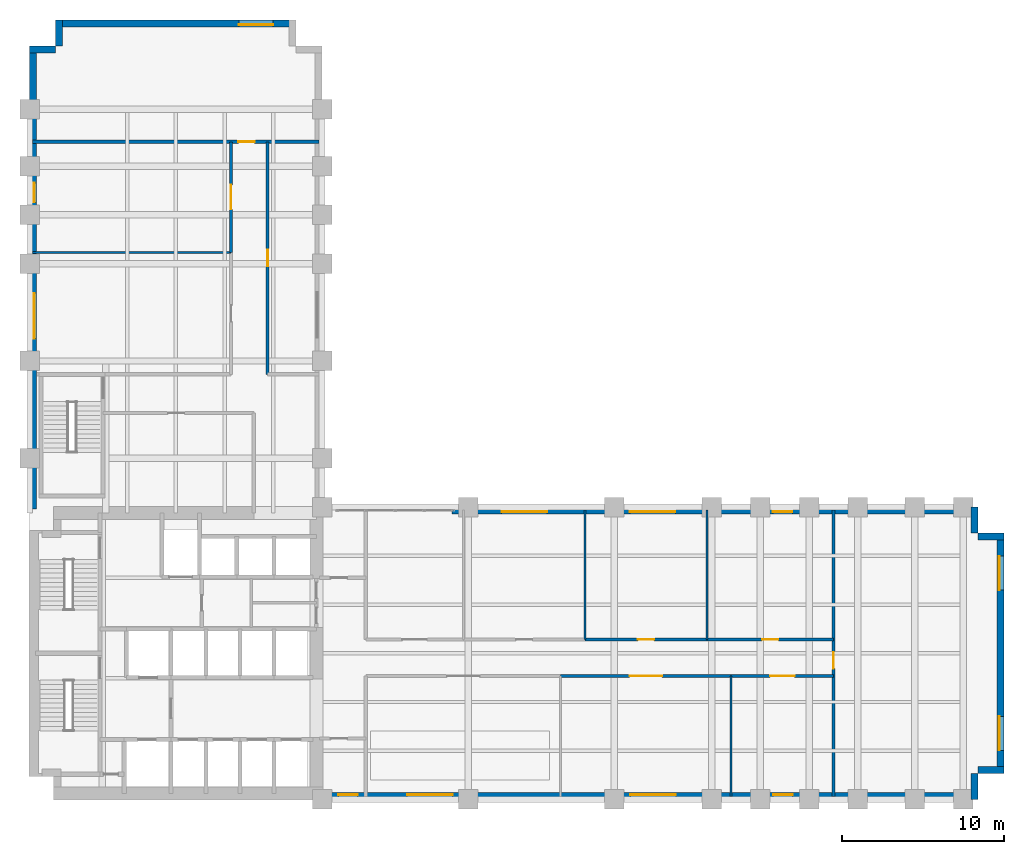
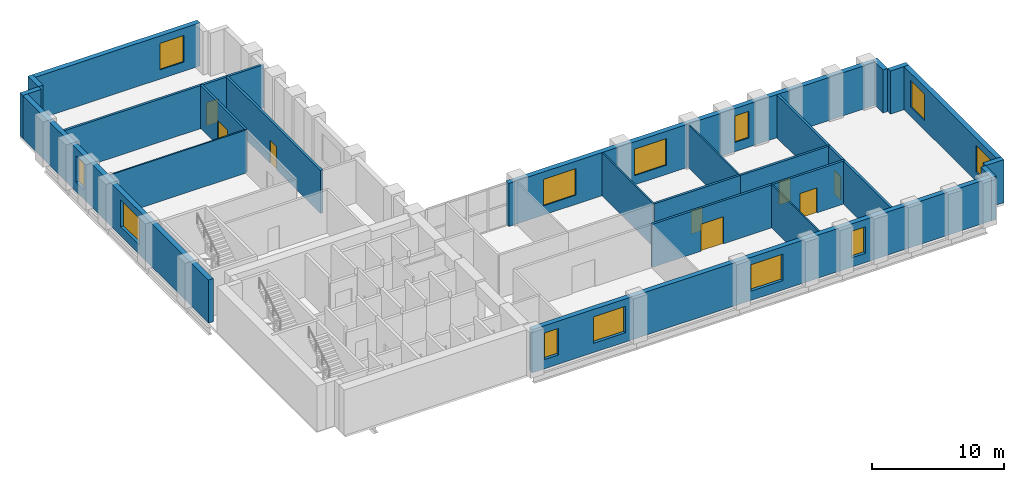
# One storey, part 7 of 9: 23 walls, 12 windows, 8 doors, 20 openings.
"""IFC4 building model written with IfcOpenShell, lengths in metres."""

from ifc_helpers import new_model, si_unit, direction, frame, frame_2d, origin, place, context, subcontext, project, spatial, rectangle, extrude, material, layer, layer_set, type_object, element, fill, save


model = new_model("IFC4")

# Units and contexts
model_context = context("Model", 3, precision=1e-05, world=origin(), true_north=direction((0.0, 1.0)))
body_context = subcontext(model_context, "Body", "Model", "MODEL_VIEW")
ifc_project = project(units=[si_unit("LENGTHUNIT", "METRE"), si_unit("AREAUNIT", "SQUARE_METRE"), si_unit("VOLUMEUNIT", "CUBIC_METRE"), si_unit("PLANEANGLEUNIT", "RADIAN"), si_unit("MASSUNIT", "GRAM", prefix="KILO")], contexts=[model_context])

# Site, building, storey
site_placement = place(None, origin())
site = spatial("IfcSite", under=ifc_project, at=site_placement, CompositionType="ELEMENT")
building_placement = place(site_placement, origin())
building = spatial("IfcBuilding", under=site, at=building_placement, Name="Mawjdan Bourse Tower", CompositionType="ELEMENT")
storey_placement = place(building_placement, frame((0.0, 0.0, 51.0)))
storey = spatial("IfcBuildingStorey", under=building, at=storey_placement, Name="L11", CompositionType="ELEMENT", Elevation=51.0)

# Wall, openings, windows
ifc_material_1 = material(Name="Brick Masonry Buff", Category="masonry")
ifc_layer_1 = layer(ifc_material_1, 0.419921875)
ifc_layer_set_1 = layer_set([ifc_layer_1], Name="Brick Masonry Buff")
wall_type_1 = type_object("IfcWallType", Name="WL-BRK-BUFF-420", PredefinedType="STANDARD", material=ifc_layer_set_1)
wall_1_placement = place(storey_placement, frame((23.89990234375, 3.2099609375, 0.0), z_axis=(0.0, 0.0, 1.0), x_axis=(1.0, 0.0, 0.0)))
wall_1 = element("IfcWall", 1, at=wall_1_placement, inside=storey, type_object=wall_type_1, Name="L11 Exterior Brick Wall 1", PredefinedType="STANDARD", context=body_context, shape_type="SweptSolid", body=[
    extrude(rectangle(XDim=40.5, YDim=0.419921875, at=frame_2d((20.25, 0.0))), origin(), (0.0, 0.0, 1.0), 3.97998046875),
])
opening_1_placement = place(wall_1_placement, frame((1.10009765625, 0.0, 0.85009765625)))
opening_1 = element("IfcOpeningElement", 2, at=opening_1_placement, cuts=wall_1, Name="Opening W-L11-06", PredefinedType="OPENING", context=body_context, shape_type="SweptSolid", body=[
    extrude(rectangle(XDim=1.199951171875, YDim=2.449951171875, at=frame_2d((0.60009765625, 1.22509765625))), frame((0.0, 0.219970703125, 0.0), z_axis=(0.0, -1.0, 0.0), x_axis=(1.0, 0.0, 0.0)), (0.0, 0.0, 1.0), 0.43994140625),
])
opening_2_placement = place(wall_1_placement, frame((5.336181640625, 0.0, 0.85009765625)))
opening_2 = element("IfcOpeningElement", 3, at=opening_2_placement, cuts=wall_1, Name="Opening W-L11-07", PredefinedType="OPENING", context=body_context, shape_type="SweptSolid", body=[
    extrude(rectangle(XDim=2.800048828125, YDim=2.449951171875, at=frame_2d((1.39990234375, 1.22509765625))), frame((0.0, 0.219970703125, 0.0), z_axis=(0.0, -1.0, 0.0), x_axis=(1.0, 0.0, 0.0)), (0.0, 0.0, 1.0), 0.43994140625),
])
opening_3_placement = place(wall_1_placement, frame((19.086181640625, 0.0, 0.85009765625)))
opening_3 = element("IfcOpeningElement", 4, at=opening_3_placement, cuts=wall_1, Name="Opening W-L11-08", PredefinedType="OPENING", context=body_context, shape_type="SweptSolid", body=[
    extrude(rectangle(XDim=2.800048828125, YDim=2.449951171875, at=frame_2d((1.39990234375, 1.22509765625))), frame((0.0, 0.219970703125, 0.0), z_axis=(0.0, -1.0, 0.0), x_axis=(1.0, 0.0, 0.0)), (0.0, 0.0, 1.0), 0.43994140625),
])
opening_4_placement = place(wall_1_placement, frame((27.88623046875, 0.0, 0.85009765625)))
opening_4 = element("IfcOpeningElement", 5, at=opening_4_placement, cuts=wall_1, Name="Opening W-L11-09", PredefinedType="OPENING", context=body_context, shape_type="SweptSolid", body=[
    extrude(rectangle(XDim=1.199951171875, YDim=2.449951171875, at=frame_2d((0.60009765625, 1.22509765625))), frame((0.0, 0.219970703125, 0.0), z_axis=(0.0, -1.0, 0.0), x_axis=(1.0, 0.0, 0.0)), (0.0, 0.0, 1.0), 0.43994140625),
])
ifc_material_2 = material(Name="Solar-Control Clear Double Glazing", Category="glass")
window_type_1 = type_object("IfcWindowType", Name="WN-TRD-1200", PartitioningType="SINGLE_PANEL", PredefinedType="WINDOW", material=ifc_material_2)
window_1_placement = place(opening_1_placement, origin())
window_1 = element("IfcWindow", 6, at=window_1_placement, inside=storey, type_object=window_type_1, Name="L11 Deep-Set Masonry Window W-L11-06", OverallHeight=2.449951171875, OverallWidth=1.199951171875, PartitioningType="SINGLE_PANEL", PredefinedType="WINDOW", context=body_context, shape_type="SweptSolid", body=[
    extrude(rectangle(XDim=1.199951171875, YDim=2.449951171875, at=frame_2d((0.60009765625, 1.22509765625))), frame((0.0, 0.110107421875, 0.0), z_axis=(0.0, -1.0, 0.0), x_axis=(1.0, 0.0, 0.0)), (0.0, 0.0, 1.0), 0.06005859375),
])
fill(opening_1, window_1)
window_2_placement = place(opening_4_placement, origin())
window_2 = element("IfcWindow", 7, at=window_2_placement, inside=storey, type_object=window_type_1, Name="L11 Deep-Set Masonry Window W-L11-09", OverallHeight=2.449951171875, OverallWidth=1.199951171875, PartitioningType="SINGLE_PANEL", PredefinedType="WINDOW", context=body_context, shape_type="SweptSolid", body=[
    extrude(rectangle(XDim=1.199951171875, YDim=2.449951171875, at=frame_2d((0.60009765625, 1.22509765625))), frame((0.0, 0.110107421875, 0.0), z_axis=(0.0, -1.0, 0.0), x_axis=(1.0, 0.0, 0.0)), (0.0, 0.0, 1.0), 0.06005859375),
])
fill(opening_4, window_2)
window_type_2 = type_object("IfcWindowType", Name="WN-TRD-2800", PartitioningType="SINGLE_PANEL", PredefinedType="WINDOW", material=ifc_material_2)
window_3_placement = place(opening_2_placement, origin())
window_3 = element("IfcWindow", 8, at=window_3_placement, inside=storey, type_object=window_type_2, Name="L11 Deep-Set Masonry Window W-L11-07", OverallHeight=2.449951171875, OverallWidth=2.800048828125, PartitioningType="SINGLE_PANEL", PredefinedType="WINDOW", context=body_context, shape_type="SweptSolid", body=[
    extrude(rectangle(XDim=2.800048828125, YDim=2.449951171875, at=frame_2d((1.39990234375, 1.22509765625))), frame((0.0, 0.110107421875, 0.0), z_axis=(0.0, -1.0, 0.0), x_axis=(1.0, 0.0, 0.0)), (0.0, 0.0, 1.0), 0.06005859375),
])
fill(opening_2, window_3)
window_4_placement = place(opening_3_placement, origin())
window_4 = element("IfcWindow", 9, at=window_4_placement, inside=storey, type_object=window_type_2, Name="L11 Deep-Set Masonry Window W-L11-08", OverallHeight=2.449951171875, OverallWidth=2.800048828125, PartitioningType="SINGLE_PANEL", PredefinedType="WINDOW", context=body_context, shape_type="SweptSolid", body=[
    extrude(rectangle(XDim=2.800048828125, YDim=2.449951171875, at=frame_2d((1.39990234375, 1.22509765625))), frame((0.0, 0.110107421875, 0.0), z_axis=(0.0, -1.0, 0.0), x_axis=(1.0, 0.0, 0.0)), (0.0, 0.0, 1.0), 0.06005859375),
])
fill(opening_3, window_4)

# Walls
for number, where, z_axis, x_axis, name in (
    (10, (64.18994140625, 3.0, 0.0), (0.0, 0.0, 1.0), (0.0, 1.0, 0.0), "L11 Exterior Brick Wall 2"),
    (11, (64.39990234375, 4.81005859375, 0.0), (0.0, 0.0, 1.0), (1.0, 0.0, 0.0), "L11 Exterior Brick Wall 3"),
):
    element("IfcWall", number, at=place(storey_placement, frame(where, z_axis=z_axis, x_axis=x_axis)), inside=storey, type_object=wall_type_1, Name=name, PredefinedType="STANDARD", context=body_context, shape_type="SweptSolid", body=[
        extrude(rectangle(XDim=1.60009765625, YDim=0.419921875, at=frame_2d((0.800048828125, 0.0))), origin(), (0.0, 0.0, 1.0), 3.97998046875),
    ])

# Wall, openings, windows
wall_2_placement = place(storey_placement, frame((65.7900390625, 4.60009765625, 0.0), z_axis=(0.0, 0.0, 1.0), x_axis=(0.0, 1.0, 0.0)))
wall_2 = element("IfcWall", 12, at=wall_2_placement, inside=storey, type_object=wall_type_1, Name="L11 Exterior Brick Wall 4", PredefinedType="STANDARD", context=body_context, shape_type="SweptSolid", body=[
    extrude(rectangle(XDim=14.7998046875, YDim=0.419921875, at=frame_2d((7.39990234375, 0.0))), origin(), (0.0, 0.0, 1.0), 3.97998046875),
])
opening_5_placement = place(wall_2_placement, frame((1.416748046875, 0.0, 0.85009765625)))
opening_5 = element("IfcOpeningElement", 13, at=opening_5_placement, cuts=wall_2, Name="Opening W-L11-01", PredefinedType="OPENING", context=body_context, shape_type="SweptSolid", body=[
    extrude(rectangle(XDim=2.10009765625, YDim=2.449951171875, at=frame_2d((1.050048828125, 1.22509765625))), frame((0.0, 0.219970703125, 0.0), z_axis=(0.0, -1.0, 0.0), x_axis=(1.0, 0.0, 0.0)), (0.0, 0.0, 1.0), 0.43994140625),
])
opening_6_placement = place(wall_2_placement, frame((11.283203125, 0.0, 0.85009765625)))
opening_6 = element("IfcOpeningElement", 14, at=opening_6_placement, cuts=wall_2, Name="Opening W-L11-02", PredefinedType="OPENING", context=body_context, shape_type="SweptSolid", body=[
    extrude(rectangle(XDim=2.10009765625, YDim=2.449951171875, at=frame_2d((1.050048828125, 1.22509765625))), frame((0.0, 0.219970703125, 0.0), z_axis=(0.0, -1.0, 0.0), x_axis=(1.0, 0.0, 0.0)), (0.0, 0.0, 1.0), 0.43994140625),
])
window_type_3 = type_object("IfcWindowType", Name="WN-TRD-2100", PartitioningType="SINGLE_PANEL", PredefinedType="WINDOW", material=ifc_material_2)
window_5_placement = place(opening_5_placement, origin())
window_5 = element("IfcWindow", 15, at=window_5_placement, inside=storey, type_object=window_type_3, Name="L11 Deep-Set Masonry Window W-L11-01", OverallHeight=2.449951171875, OverallWidth=2.10009765625, PartitioningType="SINGLE_PANEL", PredefinedType="WINDOW", context=body_context, shape_type="SweptSolid", body=[
    extrude(rectangle(XDim=2.10009765625, YDim=2.449951171875, at=frame_2d((1.050048828125, 1.22509765625))), frame((0.0, 0.110107421875, 0.0), z_axis=(0.0, -1.0, 0.0), x_axis=(1.0, 0.0, 0.0)), (0.0, 0.0, 1.0), 0.06005859375),
])
fill(opening_5, window_5)
window_6_placement = place(opening_6_placement, origin())
window_6 = element("IfcWindow", 16, at=window_6_placement, inside=storey, type_object=window_type_3, Name="L11 Deep-Set Masonry Window W-L11-02", OverallHeight=2.449951171875, OverallWidth=2.10009765625, PartitioningType="SINGLE_PANEL", PredefinedType="WINDOW", context=body_context, shape_type="SweptSolid", body=[
    extrude(rectangle(XDim=2.10009765625, YDim=2.449951171875, at=frame_2d((1.050048828125, 1.22509765625))), frame((0.0, 0.110107421875, 0.0), z_axis=(0.0, -1.0, 0.0), x_axis=(1.0, 0.0, 0.0)), (0.0, 0.0, 1.0), 0.06005859375),
])
fill(opening_6, window_6)

# Walls
for number, where, z_axis, x_axis, name in (
    (17, (66.0, 19.18994140625, 0.0), (0.0, 0.0, 1.0), (-1.0, 0.0, 0.0), "L11 Exterior Brick Wall 5"),
    (18, (64.18994140625, 19.39990234375, 0.0), (0.0, 0.0, 1.0), (0.0, 1.0, 0.0), "L11 Exterior Brick Wall 6"),
):
    element("IfcWall", number, at=place(storey_placement, frame(where, z_axis=z_axis, x_axis=x_axis)), inside=storey, type_object=wall_type_1, Name=name, PredefinedType="STANDARD", context=body_context, shape_type="SweptSolid", body=[
        extrude(rectangle(XDim=1.60009765625, YDim=0.419921875, at=frame_2d((0.800048828125, 0.0))), origin(), (0.0, 0.0, 1.0), 3.97998046875),
    ])

# Wall, openings, windows
wall_3_placement = place(storey_placement, frame((64.39990234375, 20.7900390625, 0.0), z_axis=(0.0, 0.0, 1.0), x_axis=(-1.0, 0.0, 0.0)))
wall_3 = element("IfcWall", 19, at=wall_3_placement, inside=storey, type_object=wall_type_1, Name="L11 Exterior Brick Wall 7A", PredefinedType="STANDARD", context=body_context, shape_type="SweptSolid", body=[
    extrude(rectangle(XDim=32.3798828125, YDim=0.419921875, at=frame_2d((16.18994140625, 0.0))), origin(), (0.0, 0.0, 1.0), 3.97998046875),
])
opening_7_placement = place(wall_3_placement, frame((26.5361328125, 0.0, 0.85009765625)))
opening_7 = element("IfcOpeningElement", 20, at=opening_7_placement, cuts=wall_3, Name="Opening W-L11-10", PredefinedType="OPENING", context=body_context, shape_type="SweptSolid", body=[
    extrude(rectangle(XDim=2.800048828125, YDim=2.449951171875, at=frame_2d((1.39990234375, 1.22509765625))), frame((0.0, 0.219970703125, 0.0), z_axis=(0.0, -1.0, 0.0), x_axis=(1.0, 0.0, 0.0)), (0.0, 0.0, 1.0), 0.43994140625),
])
opening_8_placement = place(wall_3_placement, frame((18.63623046875, 0.0, 0.85009765625)))
opening_8 = element("IfcOpeningElement", 21, at=opening_8_placement, cuts=wall_3, Name="Opening W-L11-11", PredefinedType="OPENING", context=body_context, shape_type="SweptSolid", body=[
    extrude(rectangle(XDim=2.800048828125, YDim=2.449951171875, at=frame_2d((1.39990234375, 1.22509765625))), frame((0.0, 0.219970703125, 0.0), z_axis=(0.0, -1.0, 0.0), x_axis=(1.0, 0.0, 0.0)), (0.0, 0.0, 1.0), 0.43994140625),
])
opening_9_placement = place(wall_3_placement, frame((11.436279296875, 0.0, 0.85009765625)))
opening_9 = element("IfcOpeningElement", 22, at=opening_9_placement, cuts=wall_3, Name="Opening W-L11-12", PredefinedType="OPENING", context=body_context, shape_type="SweptSolid", body=[
    extrude(rectangle(XDim=1.199951171875, YDim=2.449951171875, at=frame_2d((0.60009765625, 1.22509765625))), frame((0.0, 0.219970703125, 0.0), z_axis=(0.0, -1.0, 0.0), x_axis=(1.0, 0.0, 0.0)), (0.0, 0.0, 1.0), 0.43994140625),
])
window_7_placement = place(opening_9_placement, origin())
window_7 = element("IfcWindow", 23, at=window_7_placement, inside=storey, type_object=window_type_1, Name="L11 Deep-Set Masonry Window W-L11-12", OverallHeight=2.449951171875, OverallWidth=1.199951171875, PartitioningType="SINGLE_PANEL", PredefinedType="WINDOW", context=body_context, shape_type="SweptSolid", body=[
    extrude(rectangle(XDim=1.199951171875, YDim=2.449951171875, at=frame_2d((0.60009765625, 1.22509765625))), frame((0.0, 0.110107421875, 0.0), z_axis=(0.0, -1.0, 0.0), x_axis=(1.0, 0.0, 0.0)), (0.0, 0.0, 1.0), 0.06005859375),
])
fill(opening_9, window_7)
window_8_placement = place(opening_7_placement, origin())
window_8 = element("IfcWindow", 24, at=window_8_placement, inside=storey, type_object=window_type_2, Name="L11 Deep-Set Masonry Window W-L11-10", OverallHeight=2.449951171875, OverallWidth=2.800048828125, PartitioningType="SINGLE_PANEL", PredefinedType="WINDOW", context=body_context, shape_type="SweptSolid", body=[
    extrude(rectangle(XDim=2.800048828125, YDim=2.449951171875, at=frame_2d((1.39990234375, 1.22509765625))), frame((0.0, 0.110107421875, 0.0), z_axis=(0.0, -1.0, 0.0), x_axis=(1.0, 0.0, 0.0)), (0.0, 0.0, 1.0), 0.06005859375),
])
fill(opening_7, window_8)
window_9_placement = place(opening_8_placement, origin())
window_9 = element("IfcWindow", 25, at=window_9_placement, inside=storey, type_object=window_type_2, Name="L11 Deep-Set Masonry Window W-L11-11", OverallHeight=2.449951171875, OverallWidth=2.800048828125, PartitioningType="SINGLE_PANEL", PredefinedType="WINDOW", context=body_context, shape_type="SweptSolid", body=[
    extrude(rectangle(XDim=2.800048828125, YDim=2.449951171875, at=frame_2d((1.39990234375, 1.22509765625))), frame((0.0, 0.110107421875, 0.0), z_axis=(0.0, -1.0, 0.0), x_axis=(1.0, 0.0, 0.0)), (0.0, 0.0, 1.0), 0.06005859375),
])
fill(opening_8, window_9)

# Wall, opening, window
wall_4_placement = place(storey_placement, frame((22.39990234375, 50.7900390625, 0.0), z_axis=(0.0, 0.0, 1.0), x_axis=(-1.0, 0.0, 0.0)))
wall_4 = element("IfcWall", 26, at=wall_4_placement, inside=storey, type_object=wall_type_1, Name="L11 Exterior Brick Wall 11", PredefinedType="STANDARD", context=body_context, shape_type="SweptSolid", body=[
    extrude(rectangle(XDim=14.7998046875, YDim=0.419921875, at=frame_2d((7.39990234375, 0.0))), origin(), (0.0, 0.0, 1.0), 3.97998046875),
])
opening_10_placement = place(wall_4_placement, frame((1.416748046875, 0.0, 0.85009765625)))
opening_10 = element("IfcOpeningElement", 27, at=opening_10_placement, cuts=wall_4, Name="Opening W-L11-04", PredefinedType="OPENING", context=body_context, shape_type="SweptSolid", body=[
    extrude(rectangle(XDim=2.10009765625, YDim=2.449951171875, at=frame_2d((1.050048828125, 1.22509765625))), frame((0.0, 0.219970703125, 0.0), z_axis=(0.0, -1.0, 0.0), x_axis=(1.0, 0.0, 0.0)), (0.0, 0.0, 1.0), 0.43994140625),
])
window_10_placement = place(opening_10_placement, origin())
window_10 = element("IfcWindow", 28, at=window_10_placement, inside=storey, type_object=window_type_3, Name="L11 Deep-Set Masonry Window W-L11-04", OverallHeight=2.449951171875, OverallWidth=2.10009765625, PartitioningType="SINGLE_PANEL", PredefinedType="WINDOW", context=body_context, shape_type="SweptSolid", body=[
    extrude(rectangle(XDim=2.10009765625, YDim=2.449951171875, at=frame_2d((1.050048828125, 1.22509765625))), frame((0.0, 0.110107421875, 0.0), z_axis=(0.0, -1.0, 0.0), x_axis=(1.0, 0.0, 0.0)), (0.0, 0.0, 1.0), 0.06005859375),
])
fill(opening_10, window_10)

# Walls
for number, where, z_axis, x_axis, name in (
    (29, (7.81005859375, 51.0, 0.0), (0.0, 0.0, 1.0), (0.0, -1.0, 0.0), "L11 Exterior Brick Wall 12"),
    (30, (7.60009765625, 49.18994140625, 0.0), (0.0, 0.0, 1.0), (-1.0, 0.0, 0.0), "L11 Exterior Brick Wall 13"),
):
    element("IfcWall", number, at=place(storey_placement, frame(where, z_axis=z_axis, x_axis=x_axis)), inside=storey, type_object=wall_type_1, Name=name, PredefinedType="STANDARD", context=body_context, shape_type="SweptSolid", body=[
        extrude(rectangle(XDim=1.60009765625, YDim=0.419921875, at=frame_2d((0.800048828125, 0.0))), origin(), (0.0, 0.0, 1.0), 3.97998046875),
    ])

# Wall, openings, windows
wall_5_placement = place(storey_placement, frame((6.2099609375, 49.39990234375, 0.0), z_axis=(0.0, 0.0, 1.0), x_axis=(0.0, -1.0, 0.0)))
wall_5 = element("IfcWall", 31, at=wall_5_placement, inside=storey, type_object=wall_type_1, Name="L11 Exterior Brick Wall 14", PredefinedType="STANDARD", context=body_context, shape_type="SweptSolid", body=[
    extrude(rectangle(XDim=28.5, YDim=0.419921875, at=frame_2d((14.25, 0.0))), origin(), (0.0, 0.0, 1.0), 3.97998046875),
])
opening_11_placement = place(wall_5_placement, frame((15.22509765625, 0.0, 0.85009765625)))
opening_11 = element("IfcOpeningElement", 32, at=opening_11_placement, cuts=wall_5, Name="Opening W-L11-05", PredefinedType="OPENING", context=body_context, shape_type="SweptSolid", body=[
    extrude(rectangle(XDim=2.800048828125, YDim=2.449951171875, at=frame_2d((1.39990234375, 1.22509765625))), frame((0.0, 0.219970703125, 0.0), z_axis=(0.0, -1.0, 0.0), x_axis=(1.0, 0.0, 0.0)), (0.0, 0.0, 1.0), 0.43994140625),
])
opening_12_placement = place(wall_5_placement, frame((8.436279296875, 0.0, 0.85009765625)))
opening_12 = element("IfcOpeningElement", 33, at=opening_12_placement, cuts=wall_5, Name="Opening W-L11-13", PredefinedType="OPENING", context=body_context, shape_type="SweptSolid", body=[
    extrude(rectangle(XDim=1.199951171875, YDim=2.449951171875, at=frame_2d((0.60009765625, 1.22509765625))), frame((0.0, 0.219970703125, 0.0), z_axis=(0.0, -1.0, 0.0), x_axis=(1.0, 0.0, 0.0)), (0.0, 0.0, 1.0), 0.43994140625),
])
window_11_placement = place(opening_12_placement, origin())
window_11 = element("IfcWindow", 34, at=window_11_placement, inside=storey, type_object=window_type_1, Name="L11 Deep-Set Masonry Window W-L11-13", OverallHeight=2.449951171875, OverallWidth=1.199951171875, PartitioningType="SINGLE_PANEL", PredefinedType="WINDOW", context=body_context, shape_type="SweptSolid", body=[
    extrude(rectangle(XDim=1.199951171875, YDim=2.449951171875, at=frame_2d((0.60009765625, 1.22509765625))), frame((0.0, 0.110107421875, 0.0), z_axis=(0.0, -1.0, 0.0), x_axis=(1.0, 0.0, 0.0)), (0.0, 0.0, 1.0), 0.06005859375),
])
fill(opening_12, window_11)
window_12_placement = place(opening_11_placement, origin())
window_12 = element("IfcWindow", 35, at=window_12_placement, inside=storey, type_object=window_type_2, Name="L11 Deep-Set Masonry Window W-L11-05", OverallHeight=2.449951171875, OverallWidth=2.800048828125, PartitioningType="SINGLE_PANEL", PredefinedType="WINDOW", context=body_context, shape_type="SweptSolid", body=[
    extrude(rectangle(XDim=2.800048828125, YDim=2.449951171875, at=frame_2d((1.39990234375, 1.22509765625))), frame((0.0, 0.110107421875, 0.0), z_axis=(0.0, -1.0, 0.0), x_axis=(1.0, 0.0, 0.0)), (0.0, 0.0, 1.0), 0.06005859375),
])
fill(opening_11, window_12)

# Wall, opening, door
ifc_material_3 = material(Name="Gypsum Fireboard Assembly")
ifc_layer_2 = layer(ifc_material_3, 0.199951171875)
ifc_layer_set_2 = layer_set([ifc_layer_2], Name="Gypsum Fireboard Assembly")
wall_type_2 = type_object("IfcWallType", Name="WL-CMP-200", PredefinedType="PARTITIONING", material=ifc_layer_set_2)
wall_6_placement = place(storey_placement, frame((38.699951171875, 10.60009765625, 0.0), z_axis=(0.0, 0.0, 1.0), x_axis=(1.0, 0.0, 0.0)))
wall_6 = element("IfcWall", 36, at=wall_6_placement, inside=storey, type_object=wall_type_2, Name="L11 Commodities Dealing Hall Corridor Wall", PredefinedType="PARTITIONING", context=body_context, shape_type="SweptSolid", body=[
    extrude(rectangle(XDim=10.5, YDim=0.199951171875, at=frame_2d((5.25, 0.0))), origin(), (0.0, 0.0, 1.0), 3.969970703125),
])
opening_13_placement = place(wall_6_placement, frame((4.25, 0.0, 0.0)))
opening_13 = element("IfcOpeningElement", 37, at=opening_13_placement, cuts=wall_6, Name="Opening D-L11-21", PredefinedType="OPENING", context=body_context, shape_type="SweptSolid", body=[
    extrude(rectangle(XDim=2.0, YDim=2.5, at=frame_2d((1.0, 1.25))), frame((0.0, 0.10986328125, 0.0), z_axis=(0.0, -1.0, 0.0), x_axis=(1.0, 0.0, 0.0)), (0.0, 0.0, 1.0), 0.219970703125),
])
ifc_material_4 = material(Name="Acoustic Veneered Timber", Category="wood")
door_type_1 = type_object("IfcDoorType", Name="DR-ASM-2000", OperationType="DOUBLE_DOOR_SINGLE_SWING", PredefinedType="DOOR", material=ifc_material_4)
door_1_placement = place(opening_13_placement, origin())
door_1 = element("IfcDoor", 38, at=door_1_placement, inside=storey, type_object=door_type_1, Name="L11 Commodities Dealing Hall Door D-L11-21", OperationType="DOUBLE_DOOR_SINGLE_SWING", OverallHeight=2.5, OverallWidth=2.0, PredefinedType="DOOR", context=body_context, shape_type="SweptSolid", body=[
    extrude(rectangle(XDim=2.0, YDim=2.5, at=frame_2d((1.0, 1.25))), frame((0.0, 0.02490234375, 0.0), z_axis=(0.0, -1.0, 0.0), x_axis=(1.0, 0.0, 0.0)), (0.0, 0.0, 1.0), 0.050048828125),
])
fill(opening_13, door_1)

wall_7_placement = place(storey_placement, frame((49.199951171875, 10.60009765625, 0.0), z_axis=(0.0, 0.0, 1.0), x_axis=(1.0, 0.0, 0.0)))
wall_7 = element("IfcWall", 39, at=wall_7_placement, inside=storey, type_object=wall_type_2, Name="L11 Conference Room Corridor Wall", PredefinedType="PARTITIONING", context=body_context, shape_type="SweptSolid", body=[
    extrude(rectangle(XDim=6.300048828125, YDim=0.199951171875, at=frame_2d((3.14990234375, 0.0))), origin(), (0.0, 0.0, 1.0), 3.969970703125),
])
opening_14_placement = place(wall_7_placement, frame((2.39990234375, 0.0, 0.0)))
opening_14 = element("IfcOpeningElement", 40, at=opening_14_placement, cuts=wall_7, Name="Opening D-L11-22", PredefinedType="OPENING", context=body_context, shape_type="SweptSolid", body=[
    extrude(rectangle(XDim=1.5, YDim=2.300048828125, at=frame_2d((0.75, 1.14990234375))), frame((0.0, 0.10986328125, 0.0), z_axis=(0.0, -1.0, 0.0), x_axis=(1.0, 0.0, 0.0)), (0.0, 0.0, 1.0), 0.219970703125),
])
ifc_material_5 = material(Name="Acoustic Glazed Timber", Category="wood")
door_type_2 = type_object("IfcDoorType", Name="DR-CNF-1500", OperationType="DOUBLE_DOOR_SINGLE_SWING", PredefinedType="DOOR", material=ifc_material_5)
door_2_placement = place(opening_14_placement, origin())
door_2 = element("IfcDoor", 41, at=door_2_placement, inside=storey, type_object=door_type_2, Name="L11 Conference Room Door D-L11-22", OperationType="DOUBLE_DOOR_SINGLE_SWING", OverallHeight=2.300048828125, OverallWidth=1.5, PredefinedType="DOOR", context=body_context, shape_type="SweptSolid", body=[
    extrude(rectangle(XDim=1.5, YDim=2.300048828125, at=frame_2d((0.75, 1.14990234375))), frame((0.0, 0.02490234375, 0.0), z_axis=(0.0, -1.0, 0.0), x_axis=(1.0, 0.0, 0.0)), (0.0, 0.0, 1.0), 0.050048828125),
])
fill(opening_14, door_2)

wall_8_placement = place(storey_placement, frame((40.199951171875, 12.85009765625, 0.0), z_axis=(0.0, 0.0, 1.0), x_axis=(1.0, 0.0, 0.0)))
wall_8 = element("IfcWall", 42, at=wall_8_placement, inside=storey, type_object=wall_type_2, Name="L11 Executive Office Corridor Wall", PredefinedType="PARTITIONING", context=body_context, shape_type="SweptSolid", body=[
    extrude(rectangle(XDim=7.5, YDim=0.199951171875, at=frame_2d((3.75, 0.0))), origin(), (0.0, 0.0, 1.0), 3.969970703125),
])
opening_15_placement = place(wall_8_placement, frame((3.25, 0.0, 0.0)))
opening_15 = element("IfcOpeningElement", 43, at=opening_15_placement, cuts=wall_8, Name="Opening D-L11-25", PredefinedType="OPENING", context=body_context, shape_type="SweptSolid", body=[
    extrude(rectangle(XDim=1.0, YDim=2.14990234375, at=frame_2d((0.5, 1.074951171875))), frame((0.0, 0.10986328125, 0.0), z_axis=(0.0, -1.0, 0.0), x_axis=(1.0, 0.0, 0.0)), (0.0, 0.0, 1.0), 0.219970703125),
])
ifc_material_6 = material(Name="Hardwood Acoustic Leaf", Category="wood")
door_type_3 = type_object("IfcDoorType", Name="DR-OFC-1000", OperationType="NOTDEFINED", PredefinedType="DOOR", material=ifc_material_6)
door_3_placement = place(opening_15_placement, origin())
door_3 = element("IfcDoor", 44, at=door_3_placement, inside=storey, type_object=door_type_3, Name="L11 Executive Office Door D-L11-25", OperationType="SINGLE_SWING_LEFT", OverallHeight=2.14990234375, OverallWidth=1.0, PredefinedType="DOOR", context=body_context, shape_type="SweptSolid", body=[
    extrude(rectangle(XDim=1.0, YDim=2.14990234375, at=frame_2d((0.5, 1.074951171875))), frame((0.0, 0.02490234375, 0.0), z_axis=(0.0, -1.0, 0.0), x_axis=(1.0, 0.0, 0.0)), (0.0, 0.0, 1.0), 0.050048828125),
])
fill(opening_15, door_3)

wall_9_placement = place(storey_placement, frame((47.699951171875, 12.85009765625, 0.0), z_axis=(0.0, 0.0, 1.0), x_axis=(1.0, 0.0, 0.0)))
wall_9 = element("IfcWall", 45, at=wall_9_placement, inside=storey, type_object=wall_type_2, Name="L11 Document Archive Store Corridor Wall", PredefinedType="PARTITIONING", context=body_context, shape_type="SweptSolid", body=[
    extrude(rectangle(XDim=7.800048828125, YDim=0.199951171875, at=frame_2d((3.89990234375, 0.0))), origin(), (0.0, 0.0, 1.0), 3.969970703125),
])
opening_16_placement = place(wall_9_placement, frame((3.39990234375, 0.0, 0.0)))
opening_16 = element("IfcOpeningElement", 46, at=opening_16_placement, cuts=wall_9, Name="Opening D-L11-26", PredefinedType="OPENING", context=body_context, shape_type="SweptSolid", body=[
    extrude(rectangle(XDim=1.0, YDim=2.14990234375, at=frame_2d((0.5, 1.074951171875))), frame((0.0, 0.10986328125, 0.0), z_axis=(0.0, -1.0, 0.0), x_axis=(1.0, 0.0, 0.0)), (0.0, 0.0, 1.0), 0.219970703125),
])
door_4_placement = place(opening_16_placement, origin())
door_4 = element("IfcDoor", 47, at=door_4_placement, inside=storey, type_object=door_type_3, Name="L11 Document Archive Store Door D-L11-26", OperationType="SINGLE_SWING_RIGHT", OverallHeight=2.14990234375, OverallWidth=1.0, PredefinedType="DOOR", context=body_context, shape_type="SweptSolid", body=[
    extrude(rectangle(XDim=1.0, YDim=2.14990234375, at=frame_2d((0.5, 1.074951171875))), frame((0.0, 0.02490234375, 0.0), z_axis=(0.0, -1.0, 0.0), x_axis=(1.0, 0.0, 0.0)), (0.0, 0.0, 1.0), 0.050048828125),
])
fill(opening_16, door_4)

wall_10_placement = place(storey_placement, frame((55.5, 3.179931640625, 0.0), z_axis=(0.0, 0.0, 1.0), x_axis=(0.0, 1.0, 0.0)))
wall_10 = element("IfcWall", 48, at=wall_10_placement, inside=storey, type_object=wall_type_2, Name="L11 East Tip Full Cross Wall", PredefinedType="PARTITIONING", context=body_context, shape_type="SweptSolid", body=[
    extrude(rectangle(XDim=17.64013671875, YDim=0.199951171875, at=frame_2d((8.820068359375, 0.0))), origin(), (0.0, 0.0, 1.0), 3.969970703125),
])
opening_17_placement = place(wall_10_placement, frame((7.875, 0.0, 0.0)))
opening_17 = element("IfcOpeningElement", 49, at=opening_17_placement, cuts=wall_10, Name="Opening D-L11-27", PredefinedType="OPENING", context=body_context, shape_type="SweptSolid", body=[
    extrude(rectangle(XDim=1.0, YDim=2.14990234375, at=frame_2d((0.5, 1.074951171875))), frame((0.0, 0.10986328125, 0.0), z_axis=(0.0, -1.0, 0.0), x_axis=(1.0, 0.0, 0.0)), (0.0, 0.0, 1.0), 0.219970703125),
])
door_5_placement = place(opening_17_placement, origin())
door_5 = element("IfcDoor", 50, at=door_5_placement, inside=storey, type_object=door_type_3, Name="L11 East Tip Hall Door D-L11-27", OperationType="SINGLE_SWING_LEFT", OverallHeight=2.14990234375, OverallWidth=1.0, PredefinedType="DOOR", context=body_context, shape_type="SweptSolid", body=[
    extrude(rectangle(XDim=1.0, YDim=2.14990234375, at=frame_2d((0.5, 1.074951171875))), frame((0.0, 0.02490234375, 0.0), z_axis=(0.0, -1.0, 0.0), x_axis=(1.0, 0.0, 0.0)), (0.0, 0.0, 1.0), 0.050048828125),
])
fill(opening_17, door_5)

wall_11_placement = place(storey_placement, frame((18.39990234375, 36.679931640625, 0.0), z_axis=(0.0, 0.0, 1.0), x_axis=(0.0, 1.0, 0.0)))
wall_11 = element("IfcWall", 51, at=wall_11_placement, inside=storey, type_object=wall_type_2, Name="L11 Conference Room Corridor Wall", PredefinedType="PARTITIONING", context=body_context, shape_type="SweptSolid", body=[
    extrude(rectangle(XDim=6.820068359375, YDim=0.199951171875, at=frame_2d((3.41015625, 0.0))), origin(), (0.0, 0.0, 1.0), 3.969970703125),
])
opening_18_placement = place(wall_11_placement, frame((2.659912109375, 0.0, 0.0)))
opening_18 = element("IfcOpeningElement", 52, at=opening_18_placement, cuts=wall_11, Name="Opening D-L11-30", PredefinedType="OPENING", context=body_context, shape_type="SweptSolid", body=[
    extrude(rectangle(XDim=1.5, YDim=2.300048828125, at=frame_2d((0.75, 1.14990234375))), frame((0.0, 0.10986328125, 0.0), z_axis=(0.0, -1.0, 0.0), x_axis=(1.0, 0.0, 0.0)), (0.0, 0.0, 1.0), 0.219970703125),
])
door_6_placement = place(opening_18_placement, origin())
door_6 = element("IfcDoor", 53, at=door_6_placement, inside=storey, type_object=door_type_2, Name="L11 Conference Room Door D-L11-30", OperationType="DOUBLE_DOOR_SINGLE_SWING", OverallHeight=2.300048828125, OverallWidth=1.5, PredefinedType="DOOR", context=body_context, shape_type="SweptSolid", body=[
    extrude(rectangle(XDim=1.5, YDim=2.300048828125, at=frame_2d((0.75, 1.14990234375))), frame((0.0, 0.02490234375, 0.0), z_axis=(0.0, -1.0, 0.0), x_axis=(1.0, 0.0, 0.0)), (0.0, 0.0, 1.0), 0.050048828125),
])
fill(opening_18, door_6)

wall_12_placement = place(storey_placement, frame((20.64990234375, 29.179931640625, 0.0), z_axis=(0.0, 0.0, 1.0), x_axis=(0.0, 1.0, 0.0)))
wall_12 = element("IfcWall", 54, at=wall_12_placement, inside=storey, type_object=wall_type_2, Name="L11 Client Meeting Room Corridor Wall", PredefinedType="PARTITIONING", context=body_context, shape_type="SweptSolid", body=[
    extrude(rectangle(XDim=14.320068359375, YDim=0.199951171875, at=frame_2d((7.16015625, 0.0))), origin(), (0.0, 0.0, 1.0), 3.969970703125),
])
opening_19_placement = place(wall_12_placement, frame((6.659912109375, 0.0, 0.0)))
opening_19 = element("IfcOpeningElement", 55, at=opening_19_placement, cuts=wall_12, Name="Opening D-L11-31", PredefinedType="OPENING", context=body_context, shape_type="SweptSolid", body=[
    extrude(rectangle(XDim=1.0, YDim=2.14990234375, at=frame_2d((0.5, 1.074951171875))), frame((0.0, 0.10986328125, 0.0), z_axis=(0.0, -1.0, 0.0), x_axis=(1.0, 0.0, 0.0)), (0.0, 0.0, 1.0), 0.219970703125),
])
door_7_placement = place(opening_19_placement, origin())
door_7 = element("IfcDoor", 56, at=door_7_placement, inside=storey, type_object=door_type_3, Name="L11 Client Meeting Room Door D-L11-31", OperationType="SINGLE_SWING_RIGHT", OverallHeight=2.14990234375, OverallWidth=1.0, PredefinedType="DOOR", context=body_context, shape_type="SweptSolid", body=[
    extrude(rectangle(XDim=1.0, YDim=2.14990234375, at=frame_2d((0.5, 1.074951171875))), frame((0.0, 0.02490234375, 0.0), z_axis=(0.0, -1.0, 0.0), x_axis=(1.0, 0.0, 0.0)), (0.0, 0.0, 1.0), 0.050048828125),
])
fill(opening_19, door_7)

wall_13_placement = place(storey_placement, frame((6.179931640625, 43.5, 0.0), z_axis=(0.0, 0.0, 1.0), x_axis=(1.0, 0.0, 0.0)))
wall_13 = element("IfcWall", 57, at=wall_13_placement, inside=storey, type_object=wall_type_2, Name="L11 North Tip Full Cross Wall", PredefinedType="PARTITIONING", context=body_context, shape_type="SweptSolid", body=[
    extrude(rectangle(XDim=17.64013671875, YDim=0.199951171875, at=frame_2d((8.820068359375, 0.0))), origin(), (0.0, 0.0, 1.0), 3.969970703125),
])
opening_20_placement = place(wall_13_placement, frame((12.675048828125, 0.0, 0.0)))
opening_20 = element("IfcOpeningElement", 58, at=opening_20_placement, cuts=wall_13, Name="Opening D-L11-32", PredefinedType="OPENING", context=body_context, shape_type="SweptSolid", body=[
    extrude(rectangle(XDim=1.0, YDim=2.14990234375, at=frame_2d((0.5, 1.074951171875))), frame((0.0, 0.10986328125, 0.0), z_axis=(0.0, -1.0, 0.0), x_axis=(1.0, 0.0, 0.0)), (0.0, 0.0, 1.0), 0.219970703125),
])
door_8_placement = place(opening_20_placement, origin())
door_8 = element("IfcDoor", 59, at=door_8_placement, inside=storey, type_object=door_type_3, Name="L11 North Tip Suite Door D-L11-32", OperationType="SINGLE_SWING_LEFT", OverallHeight=2.14990234375, OverallWidth=1.0, PredefinedType="DOOR", context=body_context, shape_type="SweptSolid", body=[
    extrude(rectangle(XDim=1.0, YDim=2.14990234375, at=frame_2d((0.5, 1.074951171875))), frame((0.0, 0.02490234375, 0.0), z_axis=(0.0, -1.0, 0.0), x_axis=(1.0, 0.0, 0.0)), (0.0, 0.0, 1.0), 0.050048828125),
])
fill(opening_20, door_8)

# Walls
ifc_material_7 = material(Name="Gypsum Partition")
ifc_layer_3 = layer(ifc_material_7, 0.125)
ifc_layer_set_3 = layer_set([ifc_layer_3], Name="Gypsum Partition")
wall_type_3 = type_object("IfcWallType", Name="WL-PRT-125", PredefinedType="PARTITIONING", material=ifc_layer_set_3)
wall_14_placement = place(storey_placement, frame((49.199951171875, 3.179931640625, 0.0), z_axis=(0.0, 0.0, 1.0), x_axis=(0.0, 1.0, 0.0)))
element("IfcWall", 60, at=wall_14_placement, inside=storey, type_object=wall_type_3, Name="L11 Conference Room Partition", PredefinedType="PARTITIONING", context=body_context, shape_type="SweptSolid", body=[
    extrude(rectangle(XDim=7.420166015625, YDim=0.125, at=frame_2d((3.7099609375, 0.0))), origin(), (0.0, 0.0, 1.0), 3.969970703125),
])
for number, where, z_axis, x_axis, name in (
    (61, (40.199951171875, 12.85009765625, 0.0), (0.0, 0.0, 1.0), (0.0, 1.0, 0.0), "L11 Executive Office Partition"),
    (62, (47.699951171875, 12.85009765625, 0.0), (0.0, 0.0, 1.0), (0.0, 1.0, 0.0), "L11 Document Archive Store Partition"),
):
    element("IfcWall", number, at=place(storey_placement, frame(where, z_axis=z_axis, x_axis=x_axis)), inside=storey, type_object=wall_type_3, Name=name, PredefinedType="PARTITIONING", context=body_context, shape_type="SweptSolid", body=[
        extrude(rectangle(XDim=7.969970703125, YDim=0.125, at=frame_2d((3.98486328125, 0.0))), origin(), (0.0, 0.0, 1.0), 3.969970703125),
    ])
wall_15_placement = place(storey_placement, frame((6.179931640625, 36.679931640625, 0.0), z_axis=(0.0, 0.0, 1.0), x_axis=(1.0, 0.0, 0.0)))
element("IfcWall", 63, at=wall_15_placement, inside=storey, type_object=wall_type_3, Name="L11 Conference Room Partition", PredefinedType="PARTITIONING", context=body_context, shape_type="SweptSolid", body=[
    extrude(rectangle(XDim=12.219970703125, YDim=0.125, at=frame_2d((6.10986328125, 0.0))), origin(), (0.0, 0.0, 1.0), 3.969970703125),
])

save(model, "model.ifc")
